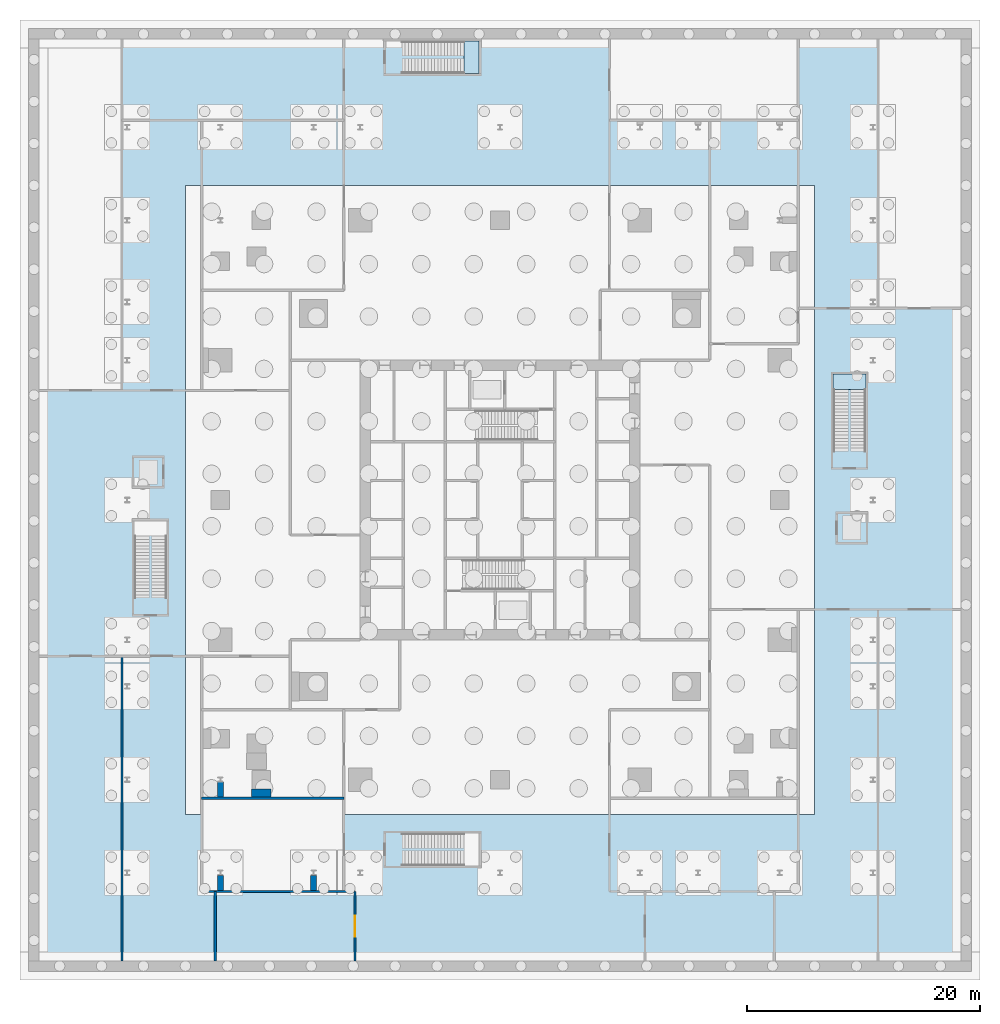
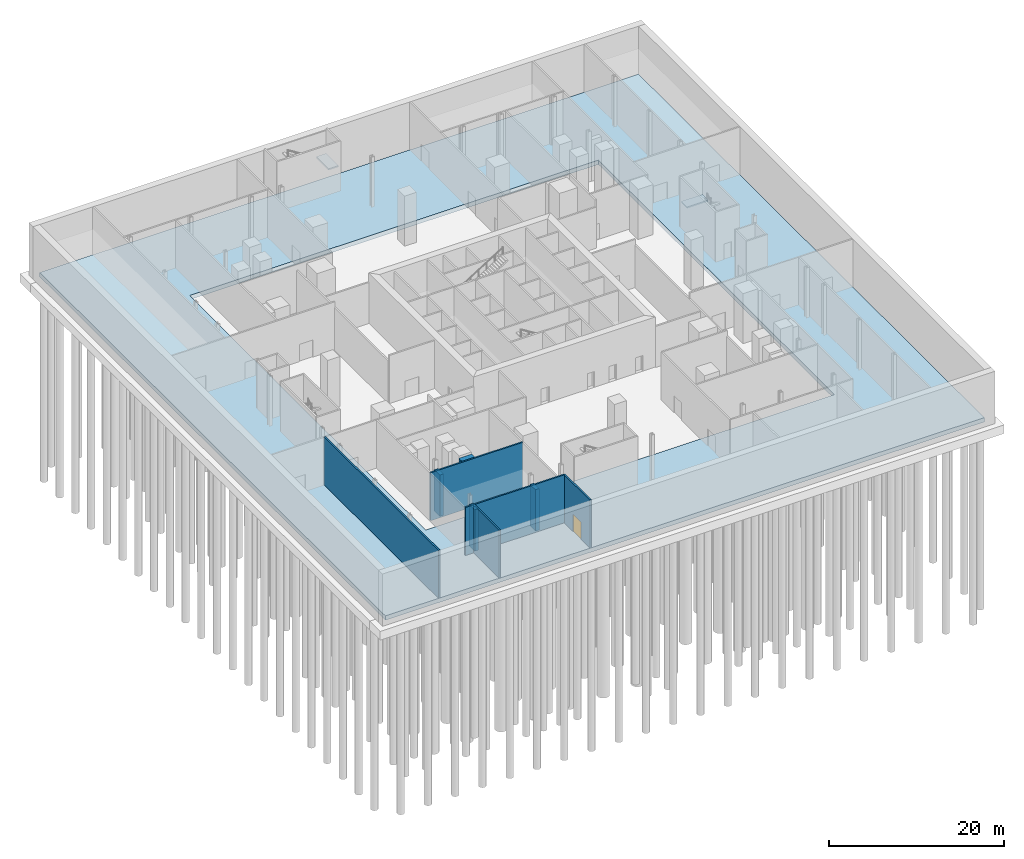
# One storey, part 4 of 15: 9 walls, 3 slabs, 1 door, 1 opening, 2 elements without a shape of their own.
"""IFC4 building model written with IfcOpenShell, lengths in metres."""

from ifc_helpers import new_model, si_unit, direction, frame, frame_2d, origin, place, context, subcontext, project, spatial, polyline, rectangle, outline, extrude, material, layer, layer_set, type_object, element, fill, aggregate, save


model = new_model("IFC4")

# Units and contexts
model_context = context("Model", 3, precision=1e-05, world=origin(), true_north=direction((0.0, 1.0)))
body_context = subcontext(model_context, "Body", "Model", "MODEL_VIEW")
ifc_project = project(units=[si_unit("LENGTHUNIT", "METRE"), si_unit("AREAUNIT", "SQUARE_METRE"), si_unit("VOLUMEUNIT", "CUBIC_METRE"), si_unit("PLANEANGLEUNIT", "RADIAN"), si_unit("MASSUNIT", "GRAM", prefix="KILO")], contexts=[model_context])

# Site, building, storey
site_placement = place(None, origin())
site = spatial("IfcSite", under=ifc_project, at=site_placement, CompositionType="ELEMENT")
building_placement = place(site_placement, origin())
building = spatial("IfcBuilding", under=site, at=building_placement, Name="Fenwick Lantern Interchange", CompositionType="ELEMENT")
storey_placement = place(building_placement, frame((0.0, 0.0, -7.0)))
storey = spatial("IfcBuildingStorey", under=building, at=storey_placement, Name="B-1", CompositionType="ELEMENT", Elevation=-7.0)

# Slab
ifc_material_1 = material(Name="Concrete f'c 45 MPa", Category="concrete")
ifc_layer_1 = layer(ifc_material_1, 0.60009765625)
ifc_layer_set_1 = layer_set([ifc_layer_1], Name="BASE SLAB 600")
slab_type_1 = type_object("IfcSlabType", Name="BASE SLAB 600", PredefinedType="BASESLAB", material=ifc_layer_set_1)
slab_1_placement = place(storey_placement, frame((0.0, 0.0, -0.60009765625)))
element("IfcSlab", 1, at=slab_1_placement, inside=storey, type_object=slab_type_1, Name="B-1/SLAB/BASE", PredefinedType="BASESLAB", context=body_context, shape_type="SweptSolid", body=[
    extrude(outline(polyline([(-14.550048828125, -14.550048828125), (64.550048828125, -14.550048828125), (64.550048828125, 64.550048828125), (-14.550048828125, 64.550048828125), (-14.550048828125, -14.550048828125)]), holes=[polyline([(-2.0, -2.0), (52.0, -2.0), (52.0, 52.0), (-2.0, 52.0), (-2.0, -2.0)])]), origin(), (0.0, 0.0, 1.0), 0.60009765625),
])

# Stair, slab
ifc_material_2 = material(Name="Precast concrete f'c 35 MPa", Category="concrete")
stair_type = type_object("IfcStairType", Name="EXIT STAIR 1300", PredefinedType="HALF_TURN_STAIR", material=ifc_material_2)
stair_1_placement = place(storey_placement, origin())
stair_1 = element("IfcStair", 2, at=stair_1_placement, inside=storey, type_object=stair_type, Name="Exit stair PS1", PredefinedType="HALF_TURN_STAIR")
ifc_material_3 = material(Name="Concrete f'c 35 MPa", Category="concrete")
ifc_layer_2 = layer(ifc_material_3, 0.199951171875)
ifc_layer_set_2 = layer_set([ifc_layer_2], Name="STAIR LANDING 200")
slab_type_2 = type_object("IfcSlabType", Name="STAIR LANDING 200", PredefinedType="LANDING", material=ifc_layer_set_2)
slab_2_placement = place(storey_placement, frame((0.0, 0.0, 3.300048828125)))
slab_2 = element("IfcSlab", 3, at=slab_2_placement, type_object=slab_type_2, Name="PS1 landing 1", PredefinedType="LANDING", context=body_context, shape_type="SweptSolid", body=[
    extrude(outline(polyline([(21.89990234375, 61.60009765625), (23.199951171875, 61.60009765625), (23.199951171875, 64.39990234375), (21.89990234375, 64.39990234375), (21.89990234375, 61.60009765625)])), origin(), (0.0, 0.0, 1.0), 0.199951171875),
])
aggregate(stair_1, [slab_2])

stair_2_placement = place(storey_placement, origin())
stair_2 = element("IfcStair", 4, at=stair_2_placement, inside=storey, type_object=stair_type, Name="Exit stair PS4", PredefinedType="HALF_TURN_STAIR")
slab_3_placement = place(storey_placement, frame((0.0, 0.0, 3.300048828125)))
slab_3 = element("IfcSlab", 5, at=slab_3_placement, type_object=slab_type_2, Name="PS4 landing 1", PredefinedType="LANDING", context=body_context, shape_type="SweptSolid", body=[
    extrude(outline(polyline([(53.60009765625, 34.5), (56.39990234375, 34.5), (56.39990234375, 35.800048828125), (53.60009765625, 35.800048828125), (53.60009765625, 34.5)])), origin(), (0.0, 0.0, 1.0), 0.199951171875),
])
aggregate(stair_2, [slab_3])

# Walls
ifc_material_4 = material(Name="Fire-rated gypsum board encasement on steel studs, 2 hour", Category="steel")
ifc_layer_3 = layer(ifc_material_4, 1.699951171875)
ifc_layer_set_3 = layer_set([ifc_layer_3], Name="COLUMN PIER 1700")
wall_type_1 = type_object("IfcWallType", Name="COLUMN PIER 1700", PredefinedType="PARTITIONING", material=ifc_layer_set_3)
wall_1_placement = place(storey_placement, frame((4.5, -0.5, 0.0), z_axis=(0.0, 0.0, 1.0), x_axis=(0.0, 1.0, 0.0)))
element("IfcWall", 6, at=wall_1_placement, inside=storey, type_object=wall_type_1, Name="B-1/W/PIER/CS1", PredefinedType="PARTITIONING", context=body_context, shape_type="SweptSolid", body=[
    extrude(rectangle(XDim=0.699951171875, YDim=1.699951171875, at=frame_2d((0.35009765625, 0.0))), origin(), (0.0, 0.0, 1.0), 6.699951171875),
])
ifc_layer_4 = layer(ifc_material_4, 0.51708984375)
ifc_layer_set_4 = layer_set([ifc_layer_4], Name="COLUMN PIER 517")
wall_type_2 = type_object("IfcWallType", Name="COLUMN PIER 517", PredefinedType="PARTITIONING", material=ifc_layer_set_4)
for number, where, z_axis, x_axis, name in (
    (7, (1.0, -8.5, 0.0), (0.0, 0.0, 1.0), (0.0, 1.0, 0.0), "B-1/W/PIER/PB3"),
    (8, (9.0, -8.5, 0.0), (0.0, 0.0, 1.0), (0.0, 1.0, 0.0), "B-1/W/PIER/PB4"),
    (9, (1.0, -0.5, 0.0), (0.0, 0.0, 1.0), (0.0, 1.0, 0.0), "B-1/W/PIER/PC3"),
):
    element("IfcWall", number, at=place(storey_placement, frame(where, z_axis=z_axis, x_axis=x_axis)), inside=storey, type_object=wall_type_2, Name=name, PredefinedType="PARTITIONING", context=body_context, shape_type="SweptSolid", body=[
        extrude(rectangle(XDim=1.27783203125, YDim=0.51708984375, at=frame_2d((0.638916015625, 0.0))), origin(), (0.0, 0.0, 1.0), 5.7880859375),
    ])
ifc_material_5 = material(Name="Gypsum board on steel studs, 1 hour", Category="steel")
ifc_layer_5 = layer(ifc_material_5, 0.199951171875)
ifc_layer_set_5 = layer_set([ifc_layer_5], Name="ROOM WALL 200")
wall_type_3 = type_object("IfcWallType", Name="ROOM WALL 200", PredefinedType="PARTITIONING", material=ifc_layer_set_5)
wall_2_placement = place(storey_placement, frame((-7.449951171875, -14.550048828125, 0.0), z_axis=(0.0, 0.0, 1.0), x_axis=(0.0, 1.0, 0.0)))
element("IfcWall", 10, at=wall_2_placement, inside=storey, type_object=wall_type_3, Name="B-1/W/POD/X-7.45-1", PredefinedType="PARTITIONING", context=body_context, shape_type="SweptSolid", body=[
    extrude(rectangle(XDim=26.150146484375, YDim=0.199951171875, at=frame_2d((13.0751953125, 0.0))), origin(), (0.0, 0.0, 1.0), 6.699951171875),
])
wall_3_placement = place(storey_placement, frame((0.550048828125, -14.550048828125, 0.0), z_axis=(0.0, 0.0, 1.0), x_axis=(0.0, 1.0, 0.0)))
element("IfcWall", 11, at=wall_3_placement, inside=storey, type_object=wall_type_3, Name="B-1/W/POD/X0.55-1", PredefinedType="PARTITIONING", context=body_context, shape_type="SweptSolid", body=[
    extrude(rectangle(XDim=5.949951171875, YDim=0.199951171875, at=frame_2d((2.97509765625, 0.0))), origin(), (0.0, 0.0, 1.0), 6.699951171875),
])

# Wall, opening, door
wall_4_placement = place(storey_placement, frame((12.550048828125, -14.550048828125, 0.0), z_axis=(0.0, 0.0, 1.0), x_axis=(0.0, 1.0, 0.0)))
wall_4 = element("IfcWall", 12, at=wall_4_placement, inside=storey, type_object=wall_type_3, Name="B-1/W/POD/X12.55-1", PredefinedType="PARTITIONING", context=body_context, shape_type="SweptSolid", body=[
    extrude(rectangle(XDim=5.949951171875, YDim=0.199951171875, at=frame_2d((2.97509765625, 0.0))), origin(), (0.0, 0.0, 1.0), 6.699951171875),
])
opening_placement = place(wall_4_placement, frame((2.074951171875, 0.0, 0.0)))
opening = element("IfcOpeningElement", 13, at=opening_placement, cuts=wall_4, Name="Opening B-1-D021", PredefinedType="OPENING", context=body_context, shape_type="SweptSolid", body=[
    extrude(rectangle(XDim=1.800048828125, YDim=2.39990234375, at=frame_2d((0.89990234375, 1.199951171875))), frame((0.0, 0.10986328125, 0.0), z_axis=(0.0, -1.0, 0.0), x_axis=(1.0, 0.0, 0.0)), (0.0, 0.0, 1.0), 0.219970703125),
])
ifc_material_6 = material(Name="Steel door and frame", Category="steel")
door_type = type_object("IfcDoorType", Name="ROOM DOOR PAIR 1800 X 2400", OperationType="DOUBLE_DOOR_SINGLE_SWING", PredefinedType="DOOR", material=ifc_material_6)
door_placement = place(opening_placement, frame((1.800048828125, 0.0, 0.0), z_axis=(0.0, 0.0, 1.0), x_axis=(-1.0, 0.0, 0.0)))
door = element("IfcDoor", 14, at=door_placement, inside=storey, type_object=door_type, Name="Room door pair", OperationType="DOUBLE_DOOR_SINGLE_SWING", OverallHeight=2.39990234375, OverallWidth=1.800048828125, PredefinedType="DOOR", context=body_context, shape_type="SweptSolid", body=[
    extrude(rectangle(XDim=1.800048828125, YDim=2.39990234375, at=frame_2d((0.89990234375, 1.199951171875))), frame((0.0, 0.02490234375, 0.0), z_axis=(0.0, -1.0, 0.0), x_axis=(1.0, 0.0, 0.0)), (0.0, 0.0, 1.0), 0.050048828125),
])
fill(opening, door)

# Walls
wall_5_placement = place(storey_placement, frame((-0.60009765625, -8.60009765625, 0.0), z_axis=(0.0, 0.0, 1.0), x_axis=(1.0, 0.0, 0.0)))
element("IfcWall", 15, at=wall_5_placement, inside=storey, type_object=wall_type_3, Name="B-1/W/POD/Y-8.6-1", PredefinedType="PARTITIONING", context=body_context, shape_type="SweptSolid", body=[
    extrude(rectangle(XDim=13.150146484375, YDim=0.199951171875, at=frame_2d((6.5751953125, 0.0))), origin(), (0.0, 0.0, 1.0), 6.699951171875),
])
wall_6_placement = place(storey_placement, frame((-0.60009765625, -0.60009765625, 0.0), z_axis=(0.0, 0.0, 1.0), x_axis=(1.0, 0.0, 0.0)))
element("IfcWall", 16, at=wall_6_placement, inside=storey, type_object=wall_type_3, Name="B-1/W/POD/Y-0.6-1", PredefinedType="PARTITIONING", context=body_context, shape_type="SweptSolid", body=[
    extrude(rectangle(XDim=12.2001953125, YDim=0.199951171875, at=frame_2d((6.10009765625, 0.0))), origin(), (0.0, 0.0, 1.0), 6.699951171875),
])

save(model, "model.ifc")
